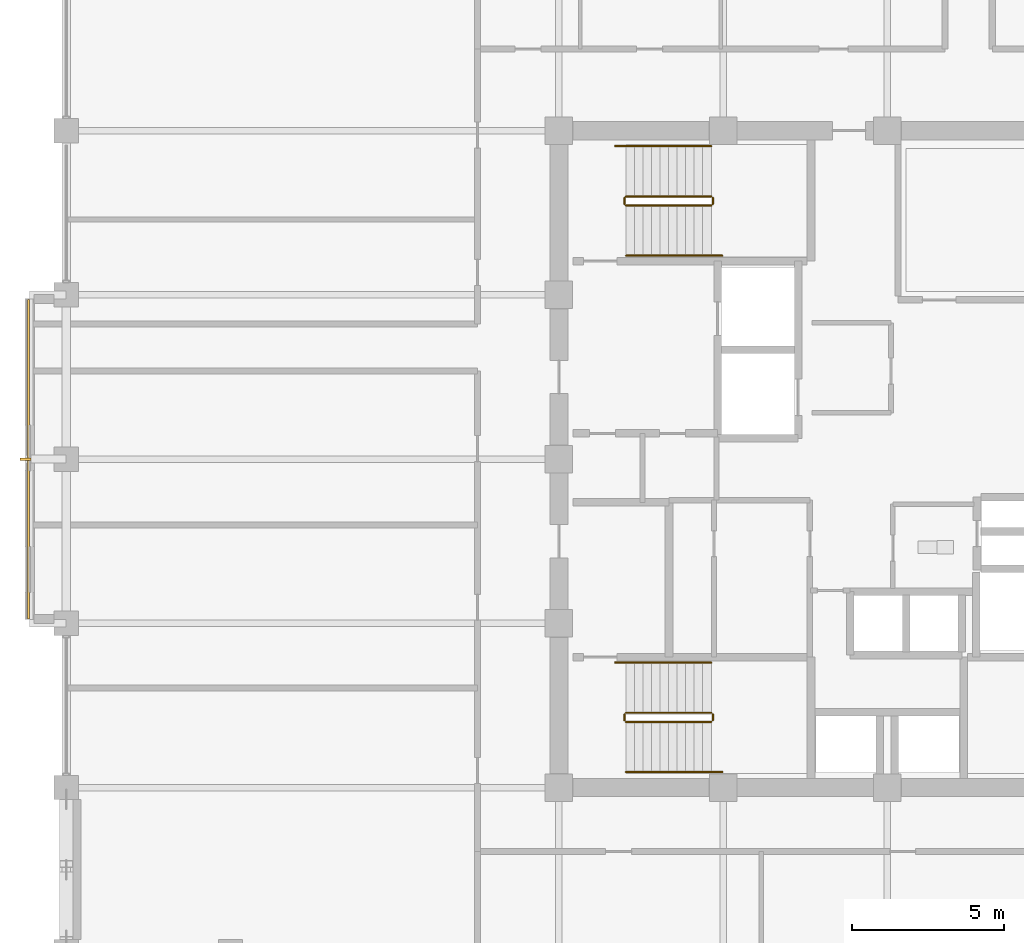
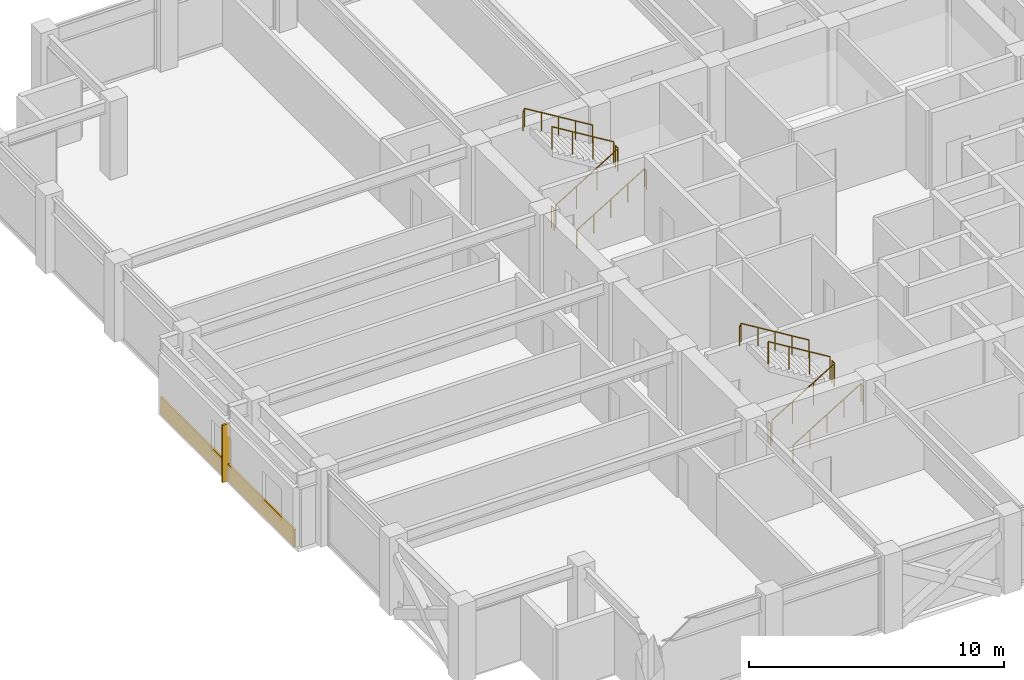
# One storey, part 28 of 30: 12 railings, 1 covering, 1 shading device.
"""IFC4 building model written with IfcOpenShell, lengths in metres."""

from ifc_helpers import new_model, si_unit, direction, frame, origin, origin_2d, place, context, subcontext, project, spatial, rectangle, circle, extrude, material, layer, layer_set, type_object, element, save


model = new_model("IFC4")

# Units and contexts
model_context = context("Model", 3, precision=1e-05, world=origin(), true_north=direction((0.0, 1.0)))
body_context = subcontext(model_context, "Body", "Model", "MODEL_VIEW")
ifc_project = project(units=[si_unit("LENGTHUNIT", "METRE"), si_unit("AREAUNIT", "SQUARE_METRE"), si_unit("VOLUMEUNIT", "CUBIC_METRE"), si_unit("PLANEANGLEUNIT", "RADIAN"), si_unit("MASSUNIT", "GRAM", prefix="KILO")], contexts=[model_context])

# Site, building, storey
site_placement = place(None, origin())
site = spatial("IfcSite", under=ifc_project, at=site_placement, CompositionType="ELEMENT")
building_placement = place(site_placement, origin())
building = spatial("IfcBuilding", under=site, at=building_placement, Name="Surkhivell Harbour Commons", CompositionType="ELEMENT")
storey_placement = place(building_placement, frame((0.0, 0.0, 231.0)))
storey = spatial("IfcBuildingStorey", under=building, at=storey_placement, Name="L60", CompositionType="ELEMENT", Elevation=231.0)

# Covering
ifc_material_1 = material(Name="Emerald-teal enamelled aluminium cassette panel", Category="aluminium")
ifc_layer = layer(ifc_material_1, 0.068115234375)
ifc_layer_set = layer_set([ifc_layer], Name="Emerald-teal enamelled aluminium cassette panel")
covering_type = type_object("IfcCoveringType", Name="COV-CLAD-EME", PredefinedType="CLADDING", material=ifc_layer_set)
covering_placement = place(storey_placement, frame((-28.239990234375, 0.0, 0.0), z_axis=(0.0, 0.0, 1.0), x_axis=(1.0, 0.0, 0.0)))
element("IfcCovering", 1, at=covering_placement, inside=storey, type_object=covering_type, Name="L60 Coloured-Panel Box Spandrel Cassette 02", PredefinedType="CLADDING", context=body_context, shape_type="SweptSolid", body=[
    extrude(rectangle(XDim=0.080078125, YDim=10.5, at=origin_2d()), origin(), (0.0, 0.0, 1.0), 0.840087890625),
])

# Railings
ifc_material_2 = material(Name="Galvanised and painted steel S355 guard rail", Category="steel")
railing_type_1 = type_object("IfcRailingType", Name="RAL-ST-GRD1100", PredefinedType="GUARDRAIL", material=ifc_material_2)
railing_1_placement = place(storey_placement, frame((-8.590087890625, 8.340087890625, 0.17041015625)))
element("IfcRailing", 2, at=railing_1_placement, inside=storey, type_object=railing_type_1, Name="L60 ST1 stair guard 1", PredefinedType="GUARDRAIL", context=body_context, shape_type="SweptSolid", body=[
    extrude(circle(Radius=0.02392578125, at=origin_2d()), frame((0.0, 0.0, 1.076171875), z_axis=(0.854169791009, 0.0, 0.51999420009), x_axis=(0.0, 1.0, 0.0)), (0.0, 0.0, 1.0), 3.278076171875),
    extrude(circle(Radius=0.02099609375, at=origin_2d()), origin(), (0.0, 0.0, 1.0), 1.052001953125),
    extrude(circle(Radius=0.02099609375, at=origin_2d()), frame((0.933349609375, 0.0, 0.568115234375)), (0.0, 0.0, 1.0), 1.052001953125),
    extrude(circle(Radius=0.02099609375, at=origin_2d()), frame((1.86669921875, 0.0, 1.136474609375)), (0.0, 0.0, 1.0), 1.052001953125),
    extrude(circle(Radius=0.02099609375, at=origin_2d()), frame((2.800048828125, 0.0, 1.70458984375)), (0.0, 0.0, 1.0), 1.052001953125),
])
railing_2_placement = place(storey_placement, frame((-5.739990234375, 8.389892578125, 1.875)))
element("IfcRailing", 3, at=railing_2_placement, inside=storey, type_object=railing_type_1, Name="L60 ST1 stair guard 2", PredefinedType="GUARDRAIL", context=body_context, shape_type="SweptSolid", body=[
    extrude(circle(Radius=0.02392578125, at=origin_2d()), frame((0.0, 0.0, 1.076171875), z_axis=(0.0, 1.0, 0.0), x_axis=(-1.0, 0.0, 0.0)), (0.0, 0.0, 1.0), 0.2001953125),
    extrude(circle(Radius=0.02099609375, at=origin_2d()), origin(), (0.0, 0.0, 1.0), 1.052001953125),
    extrude(circle(Radius=0.02099609375, at=origin_2d()), frame((0.0, 0.2001953125, 0.0)), (0.0, 0.0, 1.0), 1.052001953125),
])
railing_3_placement = place(storey_placement, frame((-5.7900390625, 8.639892578125, 2.04541015625)))
element("IfcRailing", 4, at=railing_3_placement, inside=storey, type_object=railing_type_1, Name="L60 ST1 stair guard 3", PredefinedType="GUARDRAIL", context=body_context, shape_type="SweptSolid", body=[
    extrude(circle(Radius=0.02392578125, at=origin_2d()), frame((0.0, 0.0, 1.076171875), z_axis=(-0.854169791009, 0.0, 0.51999420009), x_axis=(0.0, -1.0, 0.0)), (0.0, 0.0, 1.0), 3.278076171875),
    extrude(circle(Radius=0.02099609375, at=origin_2d()), origin(), (0.0, 0.0, 1.0), 1.052001953125),
    extrude(circle(Radius=0.02099609375, at=origin_2d()), frame((-0.933349609375, 0.0, 0.568115234375)), (0.0, 0.0, 1.0), 1.052001953125),
    extrude(circle(Radius=0.02099609375, at=origin_2d()), frame((-1.86669921875, 0.0, 1.136474609375)), (0.0, 0.0, 1.0), 1.052001953125),
    extrude(circle(Radius=0.02099609375, at=origin_2d()), frame((-2.800048828125, 0.0, 1.70458984375)), (0.0, 0.0, 1.0), 1.052001953125),
])
railing_4_placement = place(storey_placement, frame((-8.639892578125, 8.389892578125, 0.0)))
element("IfcRailing", 5, at=railing_4_placement, inside=storey, type_object=railing_type_1, Name="L60 ST1 stair guard 4", PredefinedType="GUARDRAIL", context=body_context, shape_type="SweptSolid", body=[
    extrude(circle(Radius=0.02392578125, at=origin_2d()), frame((0.0, 0.0, 1.076171875), z_axis=(0.0, 1.0, 0.0), x_axis=(-1.0, 0.0, 0.0)), (0.0, 0.0, 1.0), 0.2001953125),
    extrude(circle(Radius=0.02099609375, at=origin_2d()), origin(), (0.0, 0.0, 1.0), 1.052001953125),
    extrude(circle(Radius=0.02099609375, at=origin_2d()), frame((0.0, 0.2001953125, 0.0)), (0.0, 0.0, 1.0), 1.052001953125),
])
railing_5_placement = place(storey_placement, frame((-8.590087890625, -8.639892578125, 0.17041015625)))
element("IfcRailing", 6, at=railing_5_placement, inside=storey, type_object=railing_type_1, Name="L60 ST3 stair guard 1", PredefinedType="GUARDRAIL", context=body_context, shape_type="SweptSolid", body=[
    extrude(circle(Radius=0.02392578125, at=origin_2d()), frame((0.0, 0.0, 1.076171875), z_axis=(0.854169791009, 0.0, 0.51999420009), x_axis=(0.0, 1.0, 0.0)), (0.0, 0.0, 1.0), 3.278076171875),
    extrude(circle(Radius=0.02099609375, at=origin_2d()), origin(), (0.0, 0.0, 1.0), 1.052001953125),
    extrude(circle(Radius=0.02099609375, at=origin_2d()), frame((0.933349609375, 0.0, 0.568115234375)), (0.0, 0.0, 1.0), 1.052001953125),
    extrude(circle(Radius=0.02099609375, at=origin_2d()), frame((1.86669921875, 0.0, 1.136474609375)), (0.0, 0.0, 1.0), 1.052001953125),
    extrude(circle(Radius=0.02099609375, at=origin_2d()), frame((2.800048828125, 0.0, 1.70458984375)), (0.0, 0.0, 1.0), 1.052001953125),
])
railing_6_placement = place(storey_placement, frame((-5.739990234375, -8.590087890625, 1.875)))
element("IfcRailing", 7, at=railing_6_placement, inside=storey, type_object=railing_type_1, Name="L60 ST3 stair guard 2", PredefinedType="GUARDRAIL", context=body_context, shape_type="SweptSolid", body=[
    extrude(circle(Radius=0.02392578125, at=origin_2d()), frame((0.0, 0.0, 1.076171875), z_axis=(0.0, 1.0, 0.0), x_axis=(-1.0, 0.0, 0.0)), (0.0, 0.0, 1.0), 0.2001953125),
    extrude(circle(Radius=0.02099609375, at=origin_2d()), origin(), (0.0, 0.0, 1.0), 1.052001953125),
    extrude(circle(Radius=0.02099609375, at=origin_2d()), frame((0.0, 0.2001953125, 0.0)), (0.0, 0.0, 1.0), 1.052001953125),
])
railing_7_placement = place(storey_placement, frame((-5.7900390625, -8.340087890625, 2.04541015625)))
element("IfcRailing", 8, at=railing_7_placement, inside=storey, type_object=railing_type_1, Name="L60 ST3 stair guard 3", PredefinedType="GUARDRAIL", context=body_context, shape_type="SweptSolid", body=[
    extrude(circle(Radius=0.02392578125, at=origin_2d()), frame((0.0, 0.0, 1.076171875), z_axis=(-0.854169791009, 0.0, 0.51999420009), x_axis=(0.0, -1.0, 0.0)), (0.0, 0.0, 1.0), 3.278076171875),
    extrude(circle(Radius=0.02099609375, at=origin_2d()), origin(), (0.0, 0.0, 1.0), 1.052001953125),
    extrude(circle(Radius=0.02099609375, at=origin_2d()), frame((-0.933349609375, 0.0, 0.568115234375)), (0.0, 0.0, 1.0), 1.052001953125),
    extrude(circle(Radius=0.02099609375, at=origin_2d()), frame((-1.86669921875, 0.0, 1.136474609375)), (0.0, 0.0, 1.0), 1.052001953125),
    extrude(circle(Radius=0.02099609375, at=origin_2d()), frame((-2.800048828125, 0.0, 1.70458984375)), (0.0, 0.0, 1.0), 1.052001953125),
])
railing_8_placement = place(storey_placement, frame((-8.639892578125, -8.590087890625, 0.0)))
element("IfcRailing", 9, at=railing_8_placement, inside=storey, type_object=railing_type_1, Name="L60 ST3 stair guard 4", PredefinedType="GUARDRAIL", context=body_context, shape_type="SweptSolid", body=[
    extrude(circle(Radius=0.02392578125, at=origin_2d()), frame((0.0, 0.0, 1.076171875), z_axis=(0.0, 1.0, 0.0), x_axis=(-1.0, 0.0, 0.0)), (0.0, 0.0, 1.0), 0.2001953125),
    extrude(circle(Radius=0.02099609375, at=origin_2d()), origin(), (0.0, 0.0, 1.0), 1.052001953125),
    extrude(circle(Radius=0.02099609375, at=origin_2d()), frame((0.0, 0.2001953125, 0.0)), (0.0, 0.0, 1.0), 1.052001953125),
])
ifc_material_3 = material(Name="Brushed stainless steel S355 handrail", Category="steel")
railing_type_2 = type_object("IfcRailingType", Name="RAL-ST-HND900", PredefinedType="HANDRAIL", material=ifc_material_3)
railing_9_placement = place(storey_placement, frame((-8.590087890625, 6.68994140625, 0.17041015625)))
element("IfcRailing", 10, at=railing_9_placement, inside=storey, type_object=railing_type_2, Name="L60 ST1 stair handrail 1", PredefinedType="HANDRAIL", context=body_context, shape_type="SweptSolid", body=[
    extrude(circle(Radius=0.02392578125, at=origin_2d()), frame((0.0, 0.0, 0.8759765625), z_axis=(0.854177636135, 0.0, 0.519981313056), x_axis=(0.0, 1.0, 0.0)), (0.0, 0.0, 1.0), 3.60595703125),
    extrude(circle(Radius=0.02392578125, at=origin_2d()), frame((3.080078125, 0.0, 2.7509765625), z_axis=(0.425297416671, 0.0, -0.905053648892), x_axis=(0.0, 1.0, 0.0)), (0.0, 0.0, 1.0), 0.188232421875),
    extrude(circle(Radius=0.02099609375, at=origin_2d()), origin(), (0.0, 0.0, 1.0), 0.851806640625),
    extrude(circle(Radius=0.02099609375, at=origin_2d()), frame((0.77001953125, 0.0, 0.46875)), (0.0, 0.0, 1.0), 0.851806640625),
    extrude(circle(Radius=0.02099609375, at=origin_2d()), frame((1.5400390625, 0.0, 0.9375)), (0.0, 0.0, 1.0), 0.851806640625),
    extrude(circle(Radius=0.02099609375, at=origin_2d()), frame((2.31005859375, 0.0, 1.40625)), (0.0, 0.0, 1.0), 0.851806640625),
    extrude(circle(Radius=0.02099609375, at=origin_2d()), frame((3.080078125, 0.0, 1.875)), (0.0, 0.0, 1.0), 0.851806640625),
    extrude(circle(Radius=0.02099609375, at=origin_2d()), frame((3.16015625, 0.0, 1.70458984375)), (0.0, 0.0, 1.0), 0.851806640625),
])
railing_10_placement = place(storey_placement, frame((-5.7900390625, 10.2900390625, 2.04541015625)))
element("IfcRailing", 11, at=railing_10_placement, inside=storey, type_object=railing_type_2, Name="L60 ST1 stair handrail 2", PredefinedType="HANDRAIL", context=body_context, shape_type="SweptSolid", body=[
    extrude(circle(Radius=0.02392578125, at=origin_2d()), frame((0.0, 0.0, 0.8759765625), z_axis=(-0.854177636135, 0.0, 0.519981313056), x_axis=(0.0, -1.0, 0.0)), (0.0, 0.0, 1.0), 3.60595703125),
    extrude(circle(Radius=0.02392578125, at=origin_2d()), frame((-3.080078125, 0.0, 2.7509765625), z_axis=(-0.424234432967, 0.0, -0.905552398199), x_axis=(0.0, -1.0, 0.0)), (0.0, 0.0, 1.0), 0.188232421875),
    extrude(circle(Radius=0.02099609375, at=origin_2d()), origin(), (0.0, 0.0, 1.0), 0.851806640625),
    extrude(circle(Radius=0.02099609375, at=origin_2d()), frame((-0.77001953125, 0.0, 0.46875)), (0.0, 0.0, 1.0), 0.851806640625),
    extrude(circle(Radius=0.02099609375, at=origin_2d()), frame((-1.5400390625, 0.0, 0.9375)), (0.0, 0.0, 1.0), 0.851806640625),
    extrude(circle(Radius=0.02099609375, at=origin_2d()), frame((-2.31005859375, 0.0, 1.40625)), (0.0, 0.0, 1.0), 0.851806640625),
    extrude(circle(Radius=0.02099609375, at=origin_2d()), frame((-3.080078125, 0.0, 1.875)), (0.0, 0.0, 1.0), 0.851806640625),
    extrude(circle(Radius=0.02099609375, at=origin_2d()), frame((-3.159912109375, 0.0, 1.70458984375)), (0.0, 0.0, 1.0), 0.851806640625),
])
railing_11_placement = place(storey_placement, frame((-8.590087890625, -10.2900390625, 0.17041015625)))
element("IfcRailing", 12, at=railing_11_placement, inside=storey, type_object=railing_type_2, Name="L60 ST3 stair handrail 1", PredefinedType="HANDRAIL", context=body_context, shape_type="SweptSolid", body=[
    extrude(circle(Radius=0.02392578125, at=origin_2d()), frame((0.0, 0.0, 0.8759765625), z_axis=(0.854177636135, 0.0, 0.519981313056), x_axis=(0.0, 1.0, 0.0)), (0.0, 0.0, 1.0), 3.60595703125),
    extrude(circle(Radius=0.02392578125, at=origin_2d()), frame((3.080078125, 0.0, 2.7509765625), z_axis=(0.425297416671, 0.0, -0.905053648892), x_axis=(0.0, 1.0, 0.0)), (0.0, 0.0, 1.0), 0.188232421875),
    extrude(circle(Radius=0.02099609375, at=origin_2d()), origin(), (0.0, 0.0, 1.0), 0.851806640625),
    extrude(circle(Radius=0.02099609375, at=origin_2d()), frame((0.77001953125, 0.0, 0.46875)), (0.0, 0.0, 1.0), 0.851806640625),
    extrude(circle(Radius=0.02099609375, at=origin_2d()), frame((1.5400390625, 0.0, 0.9375)), (0.0, 0.0, 1.0), 0.851806640625),
    extrude(circle(Radius=0.02099609375, at=origin_2d()), frame((2.31005859375, 0.0, 1.40625)), (0.0, 0.0, 1.0), 0.851806640625),
    extrude(circle(Radius=0.02099609375, at=origin_2d()), frame((3.080078125, 0.0, 1.875)), (0.0, 0.0, 1.0), 0.851806640625),
    extrude(circle(Radius=0.02099609375, at=origin_2d()), frame((3.16015625, 0.0, 1.70458984375)), (0.0, 0.0, 1.0), 0.851806640625),
])
railing_12_placement = place(storey_placement, frame((-5.7900390625, -6.68994140625, 2.04541015625)))
element("IfcRailing", 13, at=railing_12_placement, inside=storey, type_object=railing_type_2, Name="L60 ST3 stair handrail 2", PredefinedType="HANDRAIL", context=body_context, shape_type="SweptSolid", body=[
    extrude(circle(Radius=0.02392578125, at=origin_2d()), frame((0.0, 0.0, 0.8759765625), z_axis=(-0.854177636135, 0.0, 0.519981313056), x_axis=(0.0, -1.0, 0.0)), (0.0, 0.0, 1.0), 3.60595703125),
    extrude(circle(Radius=0.02392578125, at=origin_2d()), frame((-3.080078125, 0.0, 2.7509765625), z_axis=(-0.424234432967, 0.0, -0.905552398199), x_axis=(0.0, -1.0, 0.0)), (0.0, 0.0, 1.0), 0.188232421875),
    extrude(circle(Radius=0.02099609375, at=origin_2d()), origin(), (0.0, 0.0, 1.0), 0.851806640625),
    extrude(circle(Radius=0.02099609375, at=origin_2d()), frame((-0.77001953125, 0.0, 0.46875)), (0.0, 0.0, 1.0), 0.851806640625),
    extrude(circle(Radius=0.02099609375, at=origin_2d()), frame((-1.5400390625, 0.0, 0.9375)), (0.0, 0.0, 1.0), 0.851806640625),
    extrude(circle(Radius=0.02099609375, at=origin_2d()), frame((-2.31005859375, 0.0, 1.40625)), (0.0, 0.0, 1.0), 0.851806640625),
    extrude(circle(Radius=0.02099609375, at=origin_2d()), frame((-3.080078125, 0.0, 1.875)), (0.0, 0.0, 1.0), 0.851806640625),
    extrude(circle(Radius=0.02099609375, at=origin_2d()), frame((-3.159912109375, 0.0, 1.70458984375)), (0.0, 0.0, 1.0), 0.851806640625),
])

# Shading device
ifc_material_4 = material(Name="Anodised pale-metal aluminium solar fin", Category="aluminium")
shading_device_type = type_object("IfcShadingDeviceType", Name="SHD-FIN-VERT", PredefinedType="USERDEFINED", material=ifc_material_4)
shading_device_placement = place(storey_placement, frame((-28.340087890625, 0.0, 0.0048828125), z_axis=(0.0, 0.0, 1.0), x_axis=(1.0, 0.0, 0.0)))
element("IfcShadingDevice", 14, at=shading_device_placement, inside=storey, type_object=shading_device_type, Name="L60 Coloured-Box Solar Fin 02", ObjectType="FIN", PredefinedType="USERDEFINED", context=body_context, shape_type="SweptSolid", body=[
    extrude(rectangle(XDim=0.360107421875, YDim=0.090087890625, at=origin_2d()), origin(), (0.0, 0.0, 1.0), 2.75),
])

save(model, "model.ifc")
